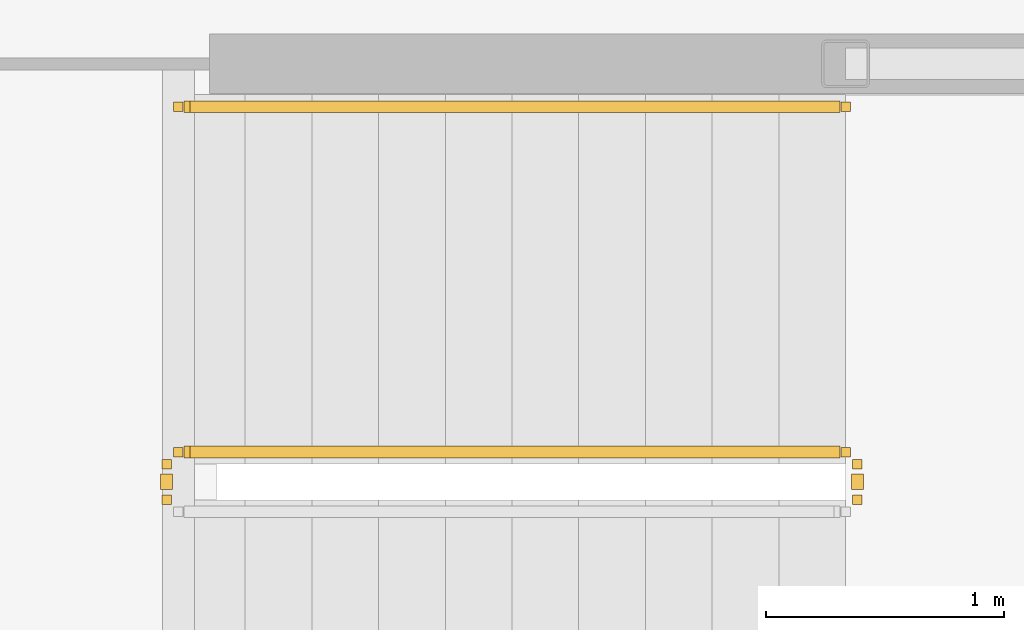
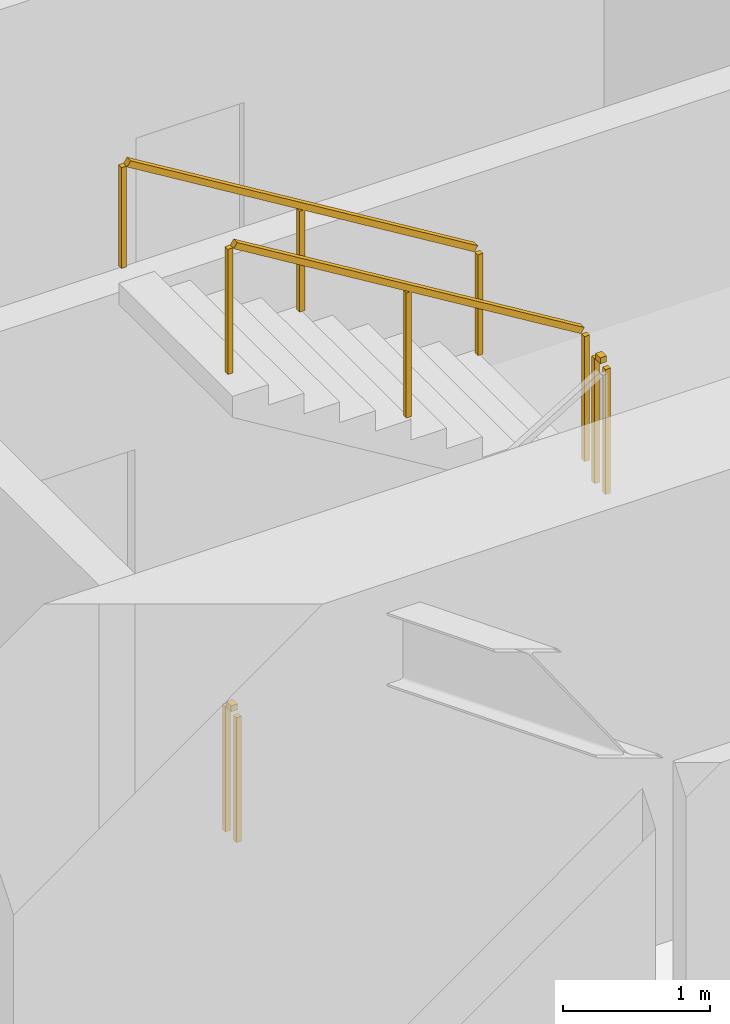
# One storey, part 28 of 31: 4 railings.
"""IFC4 building model written with IfcOpenShell, lengths in metres."""

import ifcopenshell
import ifcopenshell.guid

model = None  # the IFC model being written
_history = None  # IfcOwnerHistory: only IFC2X3 demands one
_inside = {}  # id of a spatial element -> (the spatial element, [elements in it])
_under = {}  # id of a project, library or spatial element -> (it, [spatial elements below it])
_declared = {}  # id of a project -> (the project, [libraries it declares])
_typed = {}  # id of a type object -> (the type object, [elements of that type])
_made_of = {}  # id of a material, layer set ... -> (it, [elements and type objects made of it])


def new_model(schema):
    """Start an empty IFC model of exactly this schema.

    Asked for "IFC4X3", IfcOpenShell would pick the latest addendum, in which some entities
    have other attributes; the version numbers below select the first issue.
    IFC2X3 requires an IfcOwnerHistory on every rooted entity: one is made here for all.
    """
    global model, _history
    if schema == "IFC4X3":
        model = ifcopenshell.file(schema_version=(4, 3, 0, 0))
    else:
        model = ifcopenshell.file(schema=schema)
    _inside.clear()
    _under.clear()
    _declared.clear()
    _typed.clear()
    _made_of.clear()
    _history = None
    if model.schema == "IFC2X3":
        org = make("IfcOrganization", Name="unknown")
        user = make(
            "IfcPersonAndOrganization",
            ThePerson=make("IfcPerson", FamilyName="unknown"),
            TheOrganization=org,
        )
        app = make(
            "IfcApplication",
            ApplicationDeveloper=org,
            Version="unknown",
            ApplicationFullName="unknown",
            ApplicationIdentifier="unknown",
        )
        _history = make(
            "IfcOwnerHistory",
            OwningUser=user,
            OwningApplication=app,
            ChangeAction="ADDED",
            CreationDate=0,
        )
    return model


def make(cls, **values):
    """One entity of the class cls with the attributes given. An attribute that is None is left unset."""
    return model.create_entity(
        cls, **{name: value for name, value in values.items() if value is not None}
    )


def rooted(cls, **values):
    """An entity with a GlobalId (a new one), such as an element, a storey or a relation."""
    return make(cls, GlobalId=ifcopenshell.guid.new(), OwnerHistory=_history, **values)


def si_unit(unit_type, name, prefix=None):
    """IfcSIUnit, for example si_unit("LENGTHUNIT", "METRE", prefix="MILLI")."""
    return make("IfcSIUnit", UnitType=unit_type, Prefix=prefix, Name=name)


def assignment(units):
    """IfcUnitAssignment: the units of a project."""
    return None if units is None else make("IfcUnitAssignment", Units=units)


def point(xyz):
    """IfcCartesianPoint."""
    return None if xyz is None else make("IfcCartesianPoint", Coordinates=xyz)


def direction(xyz):
    """IfcDirection."""
    return None if xyz is None else make("IfcDirection", DirectionRatios=xyz)


def frame(location, z_axis=None, x_axis=None):
    """IfcAxis2Placement3D, a coordinate frame: its origin and axes. An axis left out is left unset."""
    return make(
        "IfcAxis2Placement3D",
        Location=point(location),
        Axis=direction(z_axis),
        RefDirection=direction(x_axis),
    )


def frame_2d(location, x_axis=None):
    """IfcAxis2Placement2D, a coordinate frame in the plane: its origin and x axis."""
    return make(
        "IfcAxis2Placement2D", Location=point(location), RefDirection=direction(x_axis)
    )


def origin():
    """The frame at (0, 0, 0) with its axes left unset."""
    return frame((0.0, 0.0, 0.0))


def origin_2d():
    """The frame at (0, 0) in the plane with its x axis left unset."""
    return frame_2d((0.0, 0.0))


def place(relative_to, where):
    """IfcLocalPlacement: puts the frame where relative to a parent placement (None: the world)."""
    return make(
        "IfcLocalPlacement", PlacementRelTo=relative_to, RelativePlacement=where
    )


def context(
    kind, dimensions, precision=None, world=None, true_north=None, identifier=None
):
    """IfcGeometricRepresentationContext, for example the 3D "Model" context."""
    return make(
        "IfcGeometricRepresentationContext",
        ContextIdentifier=identifier,
        ContextType=kind,
        CoordinateSpaceDimension=dimensions,
        Precision=precision,
        WorldCoordinateSystem=world,
        TrueNorth=true_north,
    )


def subcontext(parent, identifier, kind, view, scale=None):
    """IfcGeometricRepresentationSubContext, for example "Body" below "Model"."""
    return make(
        "IfcGeometricRepresentationSubContext",
        ContextIdentifier=identifier,
        ContextType=kind,
        ParentContext=parent,
        TargetScale=scale,
        TargetView=view,
    )


def project(units=None, contexts=None):
    """IfcProject with its units and contexts."""
    return rooted(
        "IfcProject",
        Name="project",
        RepresentationContexts=contexts,
        UnitsInContext=assignment(units),
    )


def spatial(cls, under=None, at=None, **own):
    """A site, building, storey or space (cls), placed at a placement, below another one or the project."""
    s = rooted(cls, ObjectPlacement=at, **own)
    if under is not None:
        _under.setdefault(under.id(), (under, []))[1].append(s)
    return s


def profile(cls, at=None, kind="AREA", **sizes):
    """A parametric profile (cls). Its sizes go by their IFC names, for example OverallWidth=200.0."""
    return make(cls, ProfileType=kind, Position=at, **sizes)


def rectangle(**sizes):
    """IfcRectangleProfileDef."""
    return profile("IfcRectangleProfileDef", **sizes)


def extrude(swept, where, along, depth):
    """IfcExtrudedAreaSolid: the profile swept, set in the frame where, extruded along a direction by depth."""
    return make(
        "IfcExtrudedAreaSolid",
        SweptArea=swept,
        Position=where,
        ExtrudedDirection=direction(along),
        Depth=depth,
    )


def shape(context_of_items, identifier, shape_type, items):
    """IfcShapeRepresentation: the items that make up one representation, for example the "Body"."""
    return make(
        "IfcShapeRepresentation",
        ContextOfItems=context_of_items,
        RepresentationIdentifier=identifier,
        RepresentationType=shape_type,
        Items=items,
    )


def material(Name=None, Category=None):
    """IfcMaterial."""
    return make("IfcMaterial", Name=Name, Category=Category)


def made_of(thing, what):
    """Note that an element or type object is made of a material, layer set ...; save() writes the relation."""
    if what is not None:
        _made_of.setdefault(what.id(), (what, []))[1].append(thing)
    return thing


def type_object(cls, material=None, **own):
    """A type object (cls), such as IfcWallType, which elements share."""
    return made_of(rooted(cls, **own), material)


def element(
    cls,
    number,
    at=None,
    inside=None,
    cuts=None,
    type_object=None,
    material=None,
    context=None,
    identifier="Body",
    shape_type=None,
    held_by="IfcProductDefinitionShape",
    body=None,
    shapes=None,
    **own,
):
    """One element of the class cls, such as IfcWall. Its Tag is "e" and its number.

    at: its placement. inside: the storey or other place that contains it. cuts: it is an
    opening in that element (IfcRelVoidsElement). A single representation is given by context,
    identifier, shape_type and body (its items); several are given by shapes. held_by: the class
    of the entity that holds the representations. save() writes the other relations.
    """
    e = rooted(cls, Tag="e%d" % number, ObjectPlacement=at, **own)
    if body is not None:
        shapes = [shape(context, identifier, shape_type, body)]
    if shapes is not None:
        e.Representation = make(held_by, Representations=shapes)
    if inside is not None:
        _inside.setdefault(inside.id(), (inside, []))[1].append(e)
    if cuts is not None:
        rooted(
            "IfcRelVoidsElement", RelatingBuildingElement=cuts, RelatedOpeningElement=e
        )
    if type_object is not None:
        _typed.setdefault(type_object.id(), (type_object, []))[1].append(e)
    return made_of(e, material)


def aggregate(whole, parts):
    """IfcRelAggregates: a whole, such as a stair, and the parts it consists of."""
    return rooted("IfcRelAggregates", RelatingObject=whole, RelatedObjects=parts)


def save(model, path):
    """Write the relations noted so far, then the file.

    IfcRelAggregates (storeys below a building ...), IfcRelContainedInSpatialStructure (elements
    in a storey), IfcRelDefinesByType, IfcRelAssociatesMaterial and IfcRelDeclares: one each for
    every whole, place, type object, material and project.
    """
    for whole, parts in _under.values():
        aggregate(whole, parts)
    for where, things in _inside.values():
        rooted(
            "IfcRelContainedInSpatialStructure",
            RelatedElements=things,
            RelatingStructure=where,
        )
    for kind, things in _typed.values():
        rooted("IfcRelDefinesByType", RelatedObjects=things, RelatingType=kind)
    for what, things in _made_of.values():
        rooted("IfcRelAssociatesMaterial", RelatedObjects=things, RelatingMaterial=what)
    for by, libraries in _declared.values():
        rooted("IfcRelDeclares", RelatingContext=by, RelatedDefinitions=libraries)
    model.write(path)


model = new_model("IFC4")

# Units and contexts
model_context = context("Model", 3, precision=1e-05, world=origin(), true_north=direction((0.0, 1.0)))
body_context = subcontext(model_context, "Body", "Model", "MODEL_VIEW")
ifc_project = project(units=[si_unit("LENGTHUNIT", "METRE"), si_unit("AREAUNIT", "SQUARE_METRE"), si_unit("VOLUMEUNIT", "CUBIC_METRE"), si_unit("PLANEANGLEUNIT", "RADIAN"), si_unit("MASSUNIT", "GRAM", prefix="KILO")], contexts=[model_context])

# Site, building, storey
site_placement = place(None, origin())
site = spatial("IfcSite", under=ifc_project, at=site_placement, CompositionType="ELEMENT")
building_placement = place(site_placement, origin())
building = spatial("IfcBuilding", under=site, at=building_placement, Name="Kazma Halo Residences", CompositionType="ELEMENT")
storey_placement = place(building_placement, frame((0.0, 0.0, 30.14990234375)))
storey = spatial("IfcBuildingStorey", under=building, at=storey_placement, Name="L06", CompositionType="ELEMENT", Elevation=30.14990234375)

# Railings
ifc_material_1 = material(Name="Painted Steel S355", Category="steel")
railing_type_1 = type_object("IfcRailingType", Name="RLG-STAIR-GRD-1100", PredefinedType="GUARDRAIL", material=ifc_material_1)
railing_1_placement = place(storey_placement, frame((56.050048828125, 35.550048828125, 1.875)))
element("IfcRailing", 1, at=railing_1_placement, inside=storey, type_object=railing_type_1, Name="L06 ST-03 stair guard 2", PredefinedType="GUARDRAIL", context=body_context, shape_type="SweptSolid", body=[
    extrude(rectangle(XDim=0.050048828125, YDim=0.050048828125, at=origin_2d()), frame((0.0, 0.04248046875, 1.0751953125), z_axis=(0.0, 1.0, 0.0), x_axis=(-1.0, 0.0, 0.0)), (0.0, 0.0, 1.0), 0.06494140625),
    extrude(rectangle(XDim=0.0400390625, YDim=0.0400390625, at=origin_2d()), origin(), (0.0, 0.0, 1.0), 1.0380859375),
    extrude(rectangle(XDim=0.0400390625, YDim=0.0400390625, at=origin_2d()), frame((0.0, 0.14990234375, 0.0)), (0.0, 0.0, 1.0), 1.0380859375),
])
railing_2_placement = place(storey_placement, frame((56.0, 35.75, 2.045654296875)))
element("IfcRailing", 2, at=railing_2_placement, inside=storey, type_object=railing_type_1, Name="L06 ST-03 stair guard 3", PredefinedType="GUARDRAIL", context=body_context, shape_type="SweptSolid", body=[
    extrude(rectangle(XDim=0.050048828125, YDim=0.050048828125, at=origin_2d()), frame((-0.036376953125, 0.0, 1.09716796875), z_axis=(-0.854202870247, 0.0, 0.519939858505), x_axis=(0.0, -1.0, 0.0)), (0.0, 0.0, 1.0), 3.19287109375),
    extrude(rectangle(XDim=0.0400390625, YDim=0.0400390625, at=origin_2d()), origin(), (0.0, 0.0, 1.0), 1.0380859375),
    extrude(rectangle(XDim=0.0400390625, YDim=0.0400390625, at=origin_2d()), frame((-1.39990234375, 0.0, 0.85205078125)), (0.0, 0.0, 1.0), 1.0380859375),
    extrude(rectangle(XDim=0.0400390625, YDim=0.0400390625, at=origin_2d()), frame((-2.800048828125, 0.0, 1.704345703125)), (0.0, 0.0, 1.0), 1.0380859375),
])
railing_3_placement = place(storey_placement, frame((53.14990234375, 35.550048828125, 0.0)))
element("IfcRailing", 3, at=railing_3_placement, inside=storey, type_object=railing_type_1, Name="L06 ST-03 stair guard 4", PredefinedType="GUARDRAIL", context=body_context, shape_type="SweptSolid", body=[
    extrude(rectangle(XDim=0.050048828125, YDim=0.050048828125, at=origin_2d()), frame((0.0, 0.04248046875, 1.0751953125), z_axis=(0.0, 1.0, 0.0), x_axis=(-1.0, 0.0, 0.0)), (0.0, 0.0, 1.0), 0.06494140625),
    extrude(rectangle(XDim=0.0400390625, YDim=0.0400390625, at=origin_2d()), origin(), (0.0, 0.0, 1.0), 1.0380859375),
    extrude(rectangle(XDim=0.0400390625, YDim=0.0400390625, at=origin_2d()), frame((0.0, 0.14990234375, 0.0)), (0.0, 0.0, 1.0), 1.0380859375),
])
ifc_material_2 = material(Name="Brushed Stainless Steel", Category="steel")
railing_type_2 = type_object("IfcRailingType", Name="RLG-STAIR-HND-900", PredefinedType="HANDRAIL", material=ifc_material_2)
railing_4_placement = place(storey_placement, frame((56.0, 37.199951171875, 2.045654296875)))
element("IfcRailing", 4, at=railing_4_placement, inside=storey, type_object=railing_type_2, Name="L06 ST-03 stair handrail 2", PredefinedType="HANDRAIL", context=body_context, shape_type="SweptSolid", body=[
    extrude(rectangle(XDim=0.050048828125, YDim=0.050048828125, at=origin_2d()), frame((-0.036376953125, 0.0, 0.89697265625), z_axis=(-0.854202870247, 0.0, 0.519939858505), x_axis=(0.0, -1.0, 0.0)), (0.0, 0.0, 1.0), 3.19287109375),
    extrude(rectangle(XDim=0.0400390625, YDim=0.0400390625, at=origin_2d()), origin(), (0.0, 0.0, 1.0), 0.837890625),
    extrude(rectangle(XDim=0.0400390625, YDim=0.0400390625, at=origin_2d()), frame((-1.39990234375, 0.0, 0.85205078125)), (0.0, 0.0, 1.0), 0.837890625),
    extrude(rectangle(XDim=0.0400390625, YDim=0.0400390625, at=origin_2d()), frame((-2.800048828125, 0.0, 1.704345703125)), (0.0, 0.0, 1.0), 0.837890625),
])

save(model, "model.ifc")
